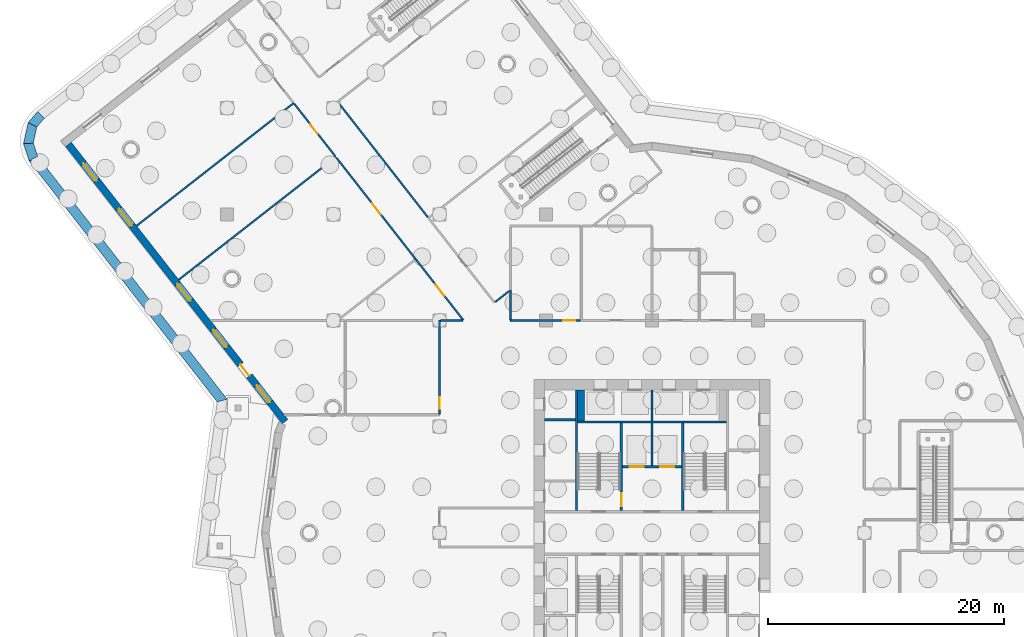
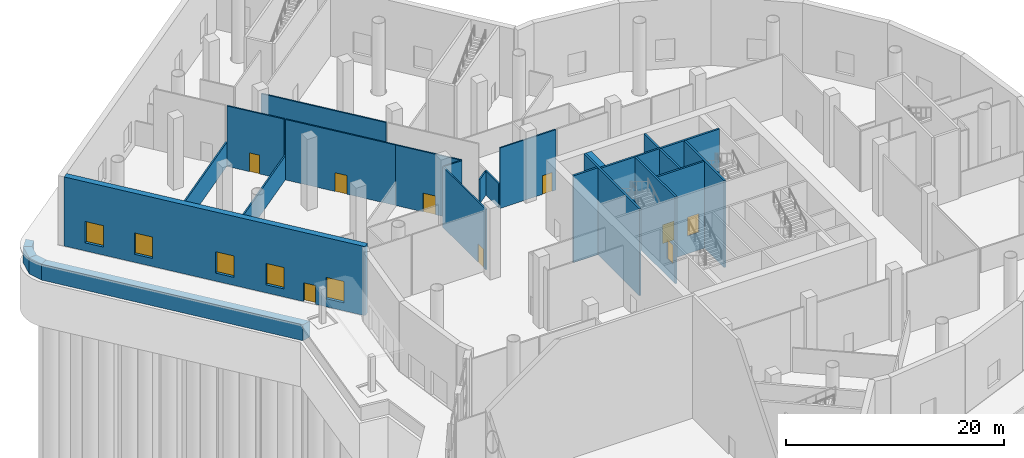
# One storey, part 16 of 34: 25 walls, 9 doors, 5 windows, 14 openings.
"""IFC4 building model written with IfcOpenShell, lengths in metres."""

from ifc_helpers import new_model, si_unit, direction, frame, frame_2d, origin, place, context, subcontext, project, spatial, polyline, rectangle, outline, extrude, material, layer, layer_set, type_object, element, fill, save


model = new_model("IFC4")

# Units and contexts
model_context = context("Model", 3, precision=1e-05, world=origin(), true_north=direction((0.0, 1.0)))
body_context = subcontext(model_context, "Body", "Model", "MODEL_VIEW")
ifc_project = project(units=[si_unit("LENGTHUNIT", "METRE"), si_unit("AREAUNIT", "SQUARE_METRE"), si_unit("VOLUMEUNIT", "CUBIC_METRE"), si_unit("PLANEANGLEUNIT", "RADIAN"), si_unit("MASSUNIT", "GRAM", prefix="KILO")], contexts=[model_context])

# Site, building, storey
site_placement = place(None, origin())
site = spatial("IfcSite", under=ifc_project, at=site_placement, CompositionType="ELEMENT")
building_placement = place(site_placement, origin())
building = spatial("IfcBuilding", under=site, at=building_placement, Name="Tarsis Ring Headquarters", CompositionType="ELEMENT")
storey_placement = place(building_placement, origin())
storey = spatial("IfcBuildingStorey", under=building, at=storey_placement, Name="L00", CompositionType="ELEMENT", Elevation=0.0)

# Walls
ifc_material_1 = material(Name="Blockwork", Category="masonry")
ifc_layer_1 = layer(ifc_material_1, 0.199951171875)
ifc_layer_set_1 = layer_set([ifc_layer_1], Name="Core blockwork wall 200")
wall_type_1 = type_object("IfcWallType", Name="Core blockwork wall 200", PredefinedType="PARTITIONING", material=ifc_layer_set_1)
wall_1_placement = place(storey_placement, frame((-9.10009765625, 9.60009765625, -2.0), z_axis=(0.0, 0.0, 1.0), x_axis=(1.0, 0.0, 0.0)))
element("IfcWall", 1, at=wall_1_placement, inside=storey, type_object=wall_type_1, Name="Core partition WD7", PredefinedType="PARTITIONING", context=body_context, shape_type="SweptSolid", body=[
    extrude(rectangle(XDim=2.60009765625, YDim=0.199951171875, at=frame_2d((1.300048828125, 0.0))), origin(), (0.0, 0.0, 1.0), 9.75),
])
ifc_material_2 = material(Name="Concrete C40/50", Category="concrete")
ifc_layer_2 = layer(ifc_material_2, 0.800048828125)
ifc_layer_set_2 = layer_set([ifc_layer_2], Name="FD Plinth wall 800")
wall_type_2 = type_object("IfcWallType", Name="FD Plinth wall 800", PredefinedType="SOLIDWALL", material=ifc_layer_set_2)
wall_2_placement = place(storey_placement, frame((0.0, 0.0, -2.0)))
element("IfcWall", 2, at=wall_2_placement, inside=storey, type_object=wall_type_2, Name="Plinth wall 21", PredefinedType="SOLIDWALL", context=body_context, shape_type="SweptSolid", body=[
    extrude(outline(polyline([(-52.05224609375, 35.727294921875), (-52.869384765625, 34.783203125), (-52.1328125, 34.41162109375), (-51.498291015625, 35.144775390625), (-52.05224609375, 35.727294921875)])), origin(), (0.0, 0.0, 1.0), 1.800048828125),
])
wall_3_placement = place(storey_placement, frame((0.0, 0.0, -2.0)))
element("IfcWall", 3, at=wall_3_placement, inside=storey, type_object=wall_type_2, Name="Plinth wall 22", PredefinedType="SOLIDWALL", context=body_context, shape_type="SweptSolid", body=[
    extrude(outline(polyline([(-52.869384765625, 34.783203125), (-53.27099609375, 32.990966796875), (-52.44189453125, 33.0322265625), (-52.1328125, 34.41162109375), (-52.869384765625, 34.783203125)])), origin(), (0.0, 0.0, 1.0), 1.800048828125),
])
wall_4_placement = place(storey_placement, frame((0.0, 0.0, -2.0)))
element("IfcWall", 4, at=wall_4_placement, inside=storey, type_object=wall_type_2, Name="Plinth wall 23", PredefinedType="SOLIDWALL", context=body_context, shape_type="SweptSolid", body=[
    extrude(outline(polyline([(-53.27099609375, 32.990966796875), (-52.786865234375, 31.52880859375), (-52.071044921875, 31.91162109375), (-52.44189453125, 33.0322265625), (-53.27099609375, 32.990966796875)])), origin(), (0.0, 0.0, 1.0), 1.800048828125),
])
wall_5_placement = place(storey_placement, frame((0.0, 0.0, -2.0)))
element("IfcWall", 5, at=wall_5_placement, inside=storey, type_object=wall_type_2, Name="Plinth wall 24", PredefinedType="SOLIDWALL", context=body_context, shape_type="SweptSolid", body=[
    extrude(outline(polyline([(-52.786865234375, 31.52880859375), (-36.843994140625, 11.099609375), (-36.007080078125, 11.327392578125), (-52.071044921875, 31.91162109375), (-52.786865234375, 31.52880859375)])), origin(), (0.0, 0.0, 1.0), 1.800048828125),
])
ifc_material_3 = material(Name="Plasterboard partition")
ifc_layer_3 = layer(ifc_material_3, 0.14990234375)
ifc_layer_set_3 = layer_set([ifc_layer_3], Name="PO-PW150")
wall_type_3 = type_object("IfcWallType", Name="PO-PW150", PredefinedType="PARTITIONING", material=ifc_layer_set_3)
wall_6_placement = place(storey_placement, frame((-30.3642578125, 36.42822265625, 0.0), z_axis=(0.0, 0.0, 1.0), x_axis=(-0.788007728406, -0.615665347386, 0.0)))
element("IfcWall", 6, at=wall_6_placement, inside=storey, type_object=wall_type_3, Name="L00 partition wall 2", PredefinedType="PARTITIONING", context=body_context, shape_type="SweptSolid", body=[
    extrude(rectangle(XDim=16.900146484375, YDim=0.14990234375, at=frame_2d((8.4501953125, 0.0))), origin(), (0.0, 0.0, 1.0), 2.699951171875),
])
wall_7_placement = place(storey_placement, frame((-26.79345703125, 31.857666015625, 0.0), z_axis=(0.0, 0.0, 1.0), x_axis=(-0.788014736946, -0.61565637685, 0.0)))
element("IfcWall", 7, at=wall_7_placement, inside=storey, type_object=wall_type_3, Name="L00 partition wall 3", PredefinedType="PARTITIONING", context=body_context, shape_type="SweptSolid", body=[
    extrude(rectangle(XDim=16.89990234375, YDim=0.14990234375, at=frame_2d((8.449951171875, 0.0))), origin(), (0.0, 0.0, 1.0), 2.699951171875),
])
wall_8_placement = place(storey_placement, frame((-12.0, 20.573486328125, 0.0), z_axis=(0.0, 0.0, 1.0), x_axis=(0.0, -1.0, 0.0)))
element("IfcWall", 8, at=wall_8_placement, inside=storey, type_object=wall_type_3, Name="L00 partition wall 84", PredefinedType="PARTITIONING", context=body_context, shape_type="SweptSolid", body=[
    extrude(rectangle(XDim=2.493408203125, YDim=0.14990234375, at=frame_2d((1.24658203125, 0.0))), origin(), (0.0, 0.0, 1.0), 2.699951171875),
])
wall_9_placement = place(storey_placement, frame((-13.28466796875, 19.56982421875, 0.0), z_axis=(0.0, 0.0, 1.0), x_axis=(0.788089823948, 0.615560256506, 0.0)))
element("IfcWall", 9, at=wall_9_placement, inside=storey, type_object=wall_type_3, Name="L00 partition wall 92", PredefinedType="PARTITIONING", context=body_context, shape_type="SweptSolid", body=[
    extrude(rectangle(XDim=1.47021484375, YDim=0.14990234375, at=frame_2d((0.735107421875, 0.0))), origin(), (0.0, 0.0, 1.0), 2.699951171875),
])
ifc_layer_4 = layer(ifc_material_3, 0.14990234375)
ifc_layer_set_4 = layer_set([ifc_layer_4], Name="PO-PW150R-6783")
wall_type_4 = type_object("IfcWallType", Name="PO-PW150R-6783", PredefinedType="PARTITIONING", material=ifc_layer_set_4)
wall_10_placement = place(storey_placement, frame((-26.606201171875, 36.493896484375, 0.0), z_axis=(0.0, 0.0, 1.0), x_axis=(0.615540910515, -0.788104934309, 0.0)))
element("IfcWall", 10, at=wall_10_placement, inside=storey, type_object=wall_type_4, Name="L00 partition wall 9", PredefinedType="PARTITIONING", context=body_context, shape_type="SweptSolid", body=[
    extrude(rectangle(XDim=12.358154296875, YDim=0.14990234375, at=frame_2d((6.17919921875, 0.0))), origin(), (0.0, 0.0, 1.0), 6.782958984375),
])

# Wall, opening, door
wall_11_placement = place(storey_placement, frame((-20.021240234375, 23.189697265625, 0.0), z_axis=(0.0, 0.0, 1.0), x_axis=(-0.615672676141, 0.788002002443, 0.0)))
wall_11 = element("IfcWall", 11, at=wall_11_placement, inside=storey, type_object=wall_type_4, Name="L00 partition wall 12", PredefinedType="PARTITIONING", context=body_context, shape_type="SweptSolid", body=[
    extrude(rectangle(XDim=10.919921875, YDim=0.14990234375, at=frame_2d((5.4599609375, 0.0))), origin(), (0.0, 0.0, 1.0), 6.782958984375),
])
opening_1_placement = place(wall_11_placement, frame((4.820068359375, 0.0, 0.0)))
opening_1 = element("IfcOpeningElement", 12, at=opening_1_placement, cuts=wall_11, Name="Opening PO-D2", PredefinedType="OPENING", context=body_context, shape_type="SweptSolid", body=[
    extrude(rectangle(XDim=1.199951171875, YDim=2.10009765625, at=frame_2d((0.60009765625, 1.050048828125))), frame((0.0, 0.0849609375, 0.0), z_axis=(0.0, -1.0, 0.0), x_axis=(1.0, 0.0, 0.0)), (0.0, 0.0, 1.0), 0.169921875),
])
ifc_material_4 = material(Name="Timber door", Category="wood")
door_type_1 = type_object("IfcDoorType", Name="PO-D1200", OperationType="NOTDEFINED", PredefinedType="DOOR", material=ifc_material_4)
door_1_placement = place(opening_1_placement, origin())
door_1 = element("IfcDoor", 13, at=door_1_placement, inside=storey, type_object=door_type_1, Name="Heritage gallery door", OperationType="SINGLE_SWING_RIGHT", OverallHeight=2.10009765625, OverallWidth=1.199951171875, PredefinedType="DOOR", context=body_context, shape_type="SweptSolid", body=[
    extrude(rectangle(XDim=1.199951171875, YDim=2.10009765625, at=frame_2d((0.60009765625, 1.050048828125))), frame((0.0, 0.02490234375, 0.0), z_axis=(0.0, -1.0, 0.0), x_axis=(1.0, 0.0, 0.0)), (0.0, 0.0, 1.0), 0.050048828125),
])
fill(opening_1, door_1)

wall_12_placement = place(storey_placement, frame((-18.0, 10.06005859375, 0.0), z_axis=(0.0, 0.0, 1.0), x_axis=(0.0, 1.0, 0.0)))
wall_12 = element("IfcWall", 14, at=wall_12_placement, inside=storey, type_object=wall_type_4, Name="L00 partition wall 38", PredefinedType="PARTITIONING", context=body_context, shape_type="SweptSolid", body=[
    extrude(rectangle(XDim=7.93994140625, YDim=0.14990234375, at=frame_2d((3.969970703125, 0.0))), origin(), (0.0, 0.0, 1.0), 6.782958984375),
])
opening_2_placement = place(wall_12_placement, frame((0.43994140625, 0.0, 0.0)))
opening_2 = element("IfcOpeningElement", 15, at=opening_2_placement, cuts=wall_12, Name="Opening PO-D1", PredefinedType="OPENING", context=body_context, shape_type="SweptSolid", body=[
    extrude(rectangle(XDim=1.0, YDim=2.10009765625, at=frame_2d((0.5, 1.050048828125))), frame((0.0, 0.0849609375, 0.0), z_axis=(0.0, -1.0, 0.0), x_axis=(1.0, 0.0, 0.0)), (0.0, 0.0, 1.0), 0.169921875),
])
door_type_2 = type_object("IfcDoorType", Name="PO-D1000", OperationType="NOTDEFINED", PredefinedType="DOOR", material=ifc_material_4)
door_2_placement = place(opening_2_placement, origin())
door_2 = element("IfcDoor", 16, at=door_2_placement, inside=storey, type_object=door_type_2, Name="Security control door", OperationType="SINGLE_SWING_RIGHT", OverallHeight=2.10009765625, OverallWidth=1.0, PredefinedType="DOOR", context=body_context, shape_type="SweptSolid", body=[
    extrude(rectangle(XDim=1.0, YDim=2.10009765625, at=frame_2d((0.5, 1.050048828125))), frame((0.0, 0.02490234375, 0.0), z_axis=(0.0, -1.0, 0.0), x_axis=(1.0, 0.0, 0.0)), (0.0, 0.0, 1.0), 0.050048828125),
])
fill(opening_2, door_2)

wall_13_placement = place(storey_placement, frame((-15.997802734375, 18.0400390625, 0.0), z_axis=(0.0, 0.0, 1.0), x_axis=(-0.615669415583, 0.788004549933, 0.0)))
wall_13 = element("IfcWall", 17, at=wall_13_placement, inside=storey, type_object=wall_type_4, Name="L00 partition wall 49", PredefinedType="PARTITIONING", context=body_context, shape_type="SweptSolid", body=[
    extrude(rectangle(XDim=6.53515625, YDim=0.14990234375, at=frame_2d((3.267578125, 0.0))), origin(), (0.0, 0.0, 1.0), 6.782958984375),
])
opening_3_placement = place(wall_13_placement, frame((2.59912109375, 0.0, 0.0)))
opening_3 = element("IfcOpeningElement", 18, at=opening_3_placement, cuts=wall_13, Name="Opening PO-D2", PredefinedType="OPENING", context=body_context, shape_type="SweptSolid", body=[
    extrude(rectangle(XDim=1.199951171875, YDim=2.10009765625, at=frame_2d((0.60009765625, 1.050048828125))), frame((0.0, 0.0849609375, 0.0), z_axis=(0.0, -1.0, 0.0), x_axis=(1.0, 0.0, 0.0)), (0.0, 0.0, 1.0), 0.169921875),
])
door_3_placement = place(opening_3_placement, origin())
door_3 = element("IfcDoor", 19, at=door_3_placement, inside=storey, type_object=door_type_1, Name="Exhibition gallery door", OperationType="SINGLE_SWING_LEFT", OverallHeight=2.10009765625, OverallWidth=1.199951171875, PredefinedType="DOOR", context=body_context, shape_type="SweptSolid", body=[
    extrude(rectangle(XDim=1.199951171875, YDim=2.10009765625, at=frame_2d((0.60009765625, 1.050048828125))), frame((0.0, 0.02490234375, 0.0), z_axis=(0.0, -1.0, 0.0), x_axis=(1.0, 0.0, 0.0)), (0.0, 0.0, 1.0), 0.050048828125),
])
fill(opening_3, door_3)

wall_14_placement = place(storey_placement, frame((-12.0, 18.0, 0.0), z_axis=(0.0, 0.0, 1.0), x_axis=(1.0, 0.0, 0.0)))
wall_14 = element("IfcWall", 20, at=wall_14_placement, inside=storey, type_object=wall_type_4, Name="L00 partition wall 54", PredefinedType="PARTITIONING", context=body_context, shape_type="SweptSolid", body=[
    extrude(rectangle(XDim=5.919921875, YDim=0.14990234375, at=frame_2d((2.9599609375, 0.0))), origin(), (0.0, 0.0, 1.0), 6.782958984375),
])
opening_4_placement = place(wall_14_placement, frame((4.5, 0.0, 0.0)))
opening_4 = element("IfcOpeningElement", 21, at=opening_4_placement, cuts=wall_14, Name="Opening PO-D1", PredefinedType="OPENING", context=body_context, shape_type="SweptSolid", body=[
    extrude(rectangle(XDim=1.0, YDim=2.10009765625, at=frame_2d((0.5, 1.050048828125))), frame((0.0, 0.0849609375, 0.0), z_axis=(0.0, -1.0, 0.0), x_axis=(1.0, 0.0, 0.0)), (0.0, 0.0, 1.0), 0.169921875),
])
door_4_placement = place(opening_4_placement, origin())
door_4 = element("IfcDoor", 22, at=door_4_placement, inside=storey, type_object=door_type_2, Name="Male WC door", OperationType="SINGLE_SWING_RIGHT", OverallHeight=2.10009765625, OverallWidth=1.0, PredefinedType="DOOR", context=body_context, shape_type="SweptSolid", body=[
    extrude(rectangle(XDim=1.0, YDim=2.10009765625, at=frame_2d((0.5, 1.050048828125))), frame((0.0, 0.02490234375, 0.0), z_axis=(0.0, -1.0, 0.0), x_axis=(1.0, 0.0, 0.0)), (0.0, 0.0, 1.0), 0.050048828125),
])
fill(opening_4, door_4)

wall_15_placement = place(storey_placement, frame((-26.8427734375, 31.9208984375, 0.0), z_axis=(0.0, 0.0, 1.0), x_axis=(-0.615674282204, 0.788000747609, 0.0)))
wall_15 = element("IfcWall", 23, at=wall_15_placement, inside=storey, type_object=wall_type_4, Name="L00 partition wall 60", PredefinedType="PARTITIONING", context=body_context, shape_type="SweptSolid", body=[
    extrude(rectangle(XDim=5.64013671875, YDim=0.14990234375, at=frame_2d((2.820068359375, 0.0))), origin(), (0.0, 0.0, 1.0), 6.782958984375),
])
opening_5_placement = place(wall_15_placement, frame((2.419921875, 0.0, 0.0)))
opening_5 = element("IfcOpeningElement", 24, at=opening_5_placement, cuts=wall_15, Name="Opening PO-D1", PredefinedType="OPENING", context=body_context, shape_type="SweptSolid", body=[
    extrude(rectangle(XDim=1.0, YDim=2.10009765625, at=frame_2d((0.5, 1.050048828125))), frame((0.0, 0.0849609375, 0.0), z_axis=(0.0, -1.0, 0.0), x_axis=(1.0, 0.0, 0.0)), (0.0, 0.0, 1.0), 0.169921875),
])
door_5_placement = place(opening_5_placement, origin())
door_5 = element("IfcDoor", 25, at=door_5_placement, inside=storey, type_object=door_type_2, Name="Gallery store door", OperationType="SINGLE_SWING_LEFT", OverallHeight=2.10009765625, OverallWidth=1.0, PredefinedType="DOOR", context=body_context, shape_type="SweptSolid", body=[
    extrude(rectangle(XDim=1.0, YDim=2.10009765625, at=frame_2d((0.5, 1.050048828125))), frame((0.0, 0.02490234375, 0.0), z_axis=(0.0, -1.0, 0.0), x_axis=(1.0, 0.0, 0.0)), (0.0, 0.0, 1.0), 0.050048828125),
])
fill(opening_5, door_5)

# Wall
wall_16_placement = place(storey_placement, frame((-17.919921875, 18.0, 0.0), z_axis=(0.0, 0.0, 1.0), x_axis=(1.0, 0.0, 0.0)))
element("IfcWall", 26, at=wall_16_placement, inside=storey, type_object=wall_type_4, Name="L00 partition wall 90", PredefinedType="PARTITIONING", context=body_context, shape_type="SweptSolid", body=[
    extrude(rectangle(XDim=1.877197265625, YDim=0.14990234375, at=frame_2d((0.9384765625, 0.0))), origin(), (0.0, 0.0, 1.0), 6.782958984375),
])

# Wall, openings, door, windows
ifc_material_5 = material(Name="Concrete C60/75", Category="concrete")
ifc_layer_5 = layer(ifc_material_5, 0.60009765625)
ifc_layer_set_5 = layer_set([ifc_layer_5], Name="PO-W600")
wall_type_5 = type_object("IfcWallType", Name="PO-W600", PredefinedType="SOLIDWALL", material=ifc_layer_set_5)
wall_17_placement = place(storey_placement, frame((-49.459228515625, 32.930908203125, 0.0), z_axis=(0.0, 0.0, 1.0), x_axis=(0.615664215937, -0.788008612399, 0.0)))
wall_17 = element("IfcWall", 27, at=wall_17_placement, inside=storey, type_object=wall_type_5, Name="L00 external wall 1", PredefinedType="SOLIDWALL", context=body_context, shape_type="SweptSolid", body=[
    extrude(rectangle(XDim=29.82470703125, YDim=0.60009765625, at=frame_2d((14.912353515625, 0.0))), origin(), (0.0, 0.0, 1.0), 7.75),
])
opening_6_placement = place(wall_17_placement, frame((2.08251953125, 0.0, 0.89990234375)))
opening_6 = element("IfcOpeningElement", 28, at=opening_6_placement, cuts=wall_17, Name="Opening PO-WN1", PredefinedType="OPENING", context=body_context, shape_type="SweptSolid", body=[
    extrude(rectangle(XDim=1.800048828125, YDim=2.39990234375, at=frame_2d((0.89990234375, 1.199951171875))), frame((0.0, 0.31005859375, 0.0), z_axis=(0.0, -1.0, 0.0), x_axis=(1.0, 0.0, 0.0)), (0.0, 0.0, 1.0), 0.6201171875),
])
opening_7_placement = place(wall_17_placement, frame((6.947509765625, 0.0, 0.89990234375)))
opening_7 = element("IfcOpeningElement", 29, at=opening_7_placement, cuts=wall_17, Name="Opening PO-WN1", PredefinedType="OPENING", context=body_context, shape_type="SweptSolid", body=[
    extrude(rectangle(XDim=1.800048828125, YDim=2.39990234375, at=frame_2d((0.89990234375, 1.199951171875))), frame((0.0, 0.31005859375, 0.0), z_axis=(0.0, -1.0, 0.0), x_axis=(1.0, 0.0, 0.0)), (0.0, 0.0, 1.0), 0.6201171875),
])
opening_8_placement = place(wall_17_placement, frame((15.012451171875, 0.0, 0.89990234375)))
opening_8 = element("IfcOpeningElement", 30, at=opening_8_placement, cuts=wall_17, Name="Opening PO-WN1", PredefinedType="OPENING", context=body_context, shape_type="SweptSolid", body=[
    extrude(rectangle(XDim=1.800048828125, YDim=2.39990234375, at=frame_2d((0.89990234375, 1.199951171875))), frame((0.0, 0.31005859375, 0.0), z_axis=(0.0, -1.0, 0.0), x_axis=(1.0, 0.0, 0.0)), (0.0, 0.0, 1.0), 0.6201171875),
])
opening_9_placement = place(wall_17_placement, frame((19.977294921875, 0.0, 0.89990234375)))
opening_9 = element("IfcOpeningElement", 31, at=opening_9_placement, cuts=wall_17, Name="Opening PO-WN1", PredefinedType="OPENING", context=body_context, shape_type="SweptSolid", body=[
    extrude(rectangle(XDim=1.800048828125, YDim=2.39990234375, at=frame_2d((0.89990234375, 1.199951171875))), frame((0.0, 0.31005859375, 0.0), z_axis=(0.0, -1.0, 0.0), x_axis=(1.0, 0.0, 0.0)), (0.0, 0.0, 1.0), 0.6201171875),
])
opening_10_placement = place(wall_17_placement, frame((25.942138671875, 0.0, 0.89990234375)))
opening_10 = element("IfcOpeningElement", 32, at=opening_10_placement, cuts=wall_17, Name="Opening PO-WN1", PredefinedType="OPENING", context=body_context, shape_type="SweptSolid", body=[
    extrude(rectangle(XDim=1.800048828125, YDim=2.39990234375, at=frame_2d((0.89990234375, 1.199951171875))), frame((0.0, 0.31005859375, 0.0), z_axis=(0.0, -1.0, 0.0), x_axis=(1.0, 0.0, 0.0)), (0.0, 0.0, 1.0), 0.6201171875),
])
opening_11_placement = place(wall_17_placement, frame((23.697021484375, 0.0, 0.0)))
opening_11 = element("IfcOpeningElement", 33, at=opening_11_placement, cuts=wall_17, Name="Opening PO-D2B", PredefinedType="OPENING", context=body_context, shape_type="SweptSolid", body=[
    extrude(rectangle(XDim=1.199951171875, YDim=2.10009765625, at=frame_2d((0.60009765625, 1.050048828125))), frame((0.0, 0.31005859375, 0.0), z_axis=(0.0, -1.0, 0.0), x_axis=(1.0, 0.0, 0.0)), (0.0, 0.0, 1.0), 0.6201171875),
])
door_type_3 = type_object("IfcDoorType", Name="PO-D1200-UNRATED", OperationType="DOUBLE_DOOR_SINGLE_SWING", PredefinedType="DOOR", material=ifc_material_4)
door_6_placement = place(opening_11_placement, origin())
door_6 = element("IfcDoor", 34, at=door_6_placement, inside=storey, type_object=door_type_3, Name="Fire command centre street door", OperationType="SINGLE_SWING_LEFT", OverallHeight=2.10009765625, OverallWidth=1.199951171875, PredefinedType="DOOR", context=body_context, shape_type="SweptSolid", body=[
    extrude(rectangle(XDim=1.199951171875, YDim=2.10009765625, at=frame_2d((0.60009765625, 1.050048828125))), frame((0.0, 0.02490234375, 0.0), z_axis=(0.0, -1.0, 0.0), x_axis=(1.0, 0.0, 0.0)), (0.0, 0.0, 1.0), 0.050048828125),
])
fill(opening_11, door_6)
ifc_material_6 = material(Name="Double glazing", Category="glass")
window_type = type_object("IfcWindowType", Name="PO-WN1800", PartitioningType="SINGLE_PANEL", PredefinedType="WINDOW", material=ifc_material_6)
window_1_placement = place(opening_6_placement, origin())
window_1 = element("IfcWindow", 35, at=window_1_placement, inside=storey, type_object=window_type, Name="L00 window 1.1", OverallHeight=2.39990234375, OverallWidth=1.800048828125, PartitioningType="SINGLE_PANEL", PredefinedType="WINDOW", context=body_context, shape_type="SweptSolid", body=[
    extrude(rectangle(XDim=1.800048828125, YDim=2.39990234375, at=frame_2d((0.89990234375, 1.199951171875))), frame((0.0, 0.030029296875, 0.0), z_axis=(0.0, -1.0, 0.0), x_axis=(1.0, 0.0, 0.0)), (0.0, 0.0, 1.0), 0.06005859375),
])
fill(opening_6, window_1)
window_2_placement = place(opening_7_placement, origin())
window_2 = element("IfcWindow", 36, at=window_2_placement, inside=storey, type_object=window_type, Name="L00 window 1.2", OverallHeight=2.39990234375, OverallWidth=1.800048828125, PartitioningType="SINGLE_PANEL", PredefinedType="WINDOW", context=body_context, shape_type="SweptSolid", body=[
    extrude(rectangle(XDim=1.800048828125, YDim=2.39990234375, at=frame_2d((0.89990234375, 1.199951171875))), frame((0.0, 0.030029296875, 0.0), z_axis=(0.0, -1.0, 0.0), x_axis=(1.0, 0.0, 0.0)), (0.0, 0.0, 1.0), 0.06005859375),
])
fill(opening_7, window_2)
window_3_placement = place(opening_8_placement, origin())
window_3 = element("IfcWindow", 37, at=window_3_placement, inside=storey, type_object=window_type, Name="L00 window 1.3", OverallHeight=2.39990234375, OverallWidth=1.800048828125, PartitioningType="SINGLE_PANEL", PredefinedType="WINDOW", context=body_context, shape_type="SweptSolid", body=[
    extrude(rectangle(XDim=1.800048828125, YDim=2.39990234375, at=frame_2d((0.89990234375, 1.199951171875))), frame((0.0, 0.030029296875, 0.0), z_axis=(0.0, -1.0, 0.0), x_axis=(1.0, 0.0, 0.0)), (0.0, 0.0, 1.0), 0.06005859375),
])
fill(opening_8, window_3)
window_4_placement = place(opening_9_placement, origin())
window_4 = element("IfcWindow", 38, at=window_4_placement, inside=storey, type_object=window_type, Name="L00 window 1.4", OverallHeight=2.39990234375, OverallWidth=1.800048828125, PartitioningType="SINGLE_PANEL", PredefinedType="WINDOW", context=body_context, shape_type="SweptSolid", body=[
    extrude(rectangle(XDim=1.800048828125, YDim=2.39990234375, at=frame_2d((0.89990234375, 1.199951171875))), frame((0.0, 0.030029296875, 0.0), z_axis=(0.0, -1.0, 0.0), x_axis=(1.0, 0.0, 0.0)), (0.0, 0.0, 1.0), 0.06005859375),
])
fill(opening_9, window_4)
window_5_placement = place(opening_10_placement, origin())
window_5 = element("IfcWindow", 39, at=window_5_placement, inside=storey, type_object=window_type, Name="L00 window 1.5", OverallHeight=2.39990234375, OverallWidth=1.800048828125, PartitioningType="SINGLE_PANEL", PredefinedType="WINDOW", context=body_context, shape_type="SweptSolid", body=[
    extrude(rectangle(XDim=1.800048828125, YDim=2.39990234375, at=frame_2d((0.89990234375, 1.199951171875))), frame((0.0, 0.030029296875, 0.0), z_axis=(0.0, -1.0, 0.0), x_axis=(1.0, 0.0, 0.0)), (0.0, 0.0, 1.0), 0.06005859375),
])
fill(opening_10, window_5)

# Walls
ifc_material_7 = material(Name="Concrete C32/40", Category="concrete")
ifc_layer_6 = layer(ifc_material_7, 0.60009765625)
ifc_layer_set_6 = layer_set([ifc_layer_6], Name="Shaft end wall 600 C32/40")
wall_type_6 = type_object("IfcWallType", Name="Shaft end wall 600 C32/40", PredefinedType="SOLIDWALL", material=ifc_layer_set_6)
wall_18_placement = place(storey_placement, frame((-6.0, 9.5, -2.0), z_axis=(0.0, 0.0, 1.0), x_axis=(0.0, 1.0, 0.0)))
element("IfcWall", 40, at=wall_18_placement, inside=storey, type_object=wall_type_6, Name="Core shaft wall NNE1", PredefinedType="SOLIDWALL", context=body_context, shape_type="SweptSolid", body=[
    extrude(rectangle(XDim=2.60009765625, YDim=0.60009765625, at=frame_2d((1.300048828125, 0.0))), origin(), (0.0, 0.0, 1.0), 9.75),
])
ifc_layer_7 = layer(ifc_material_7, 0.199951171875)
ifc_layer_set_7 = layer_set([ifc_layer_7], Name="Shaft wall 200 C32/40")
wall_type_7 = type_object("IfcWallType", Name="Shaft wall 200 C32/40", PredefinedType="SOLIDWALL", material=ifc_layer_set_7)
wall_19_placement = place(storey_placement, frame((-6.39990234375, 1.89990234375, -2.0), z_axis=(0.0, 0.0, 1.0), x_axis=(0.0, 1.0, 0.0)))
element("IfcWall", 41, at=wall_19_placement, inside=storey, type_object=wall_type_7, Name="Core shaft wall WB2", PredefinedType="SOLIDWALL", context=body_context, shape_type="SweptSolid", body=[
    extrude(rectangle(XDim=10.2001953125, YDim=0.199951171875, at=frame_2d((5.10009765625, 0.0))), origin(), (0.0, 0.0, 1.0), 9.75),
])
wall_20_placement = place(storey_placement, frame((-6.300048828125, 9.39990234375, -2.0), z_axis=(0.0, 0.0, 1.0), x_axis=(1.0, 0.0, 0.0)))
element("IfcWall", 42, at=wall_20_placement, inside=storey, type_object=wall_type_7, Name="Core shaft wall NB", PredefinedType="SOLIDWALL", context=body_context, shape_type="SweptSolid", body=[
    extrude(rectangle(XDim=12.60009765625, YDim=0.199951171875, at=frame_2d((6.300048828125, 0.0))), origin(), (0.0, 0.0, 1.0), 9.75),
])

# Wall, opening, door
wall_21_placement = place(storey_placement, frame((-2.60009765625, 1.89990234375, -2.0), z_axis=(0.0, 0.0, 1.0), x_axis=(0.0, 1.0, 0.0)))
wall_21 = element("IfcWall", 43, at=wall_21_placement, inside=storey, type_object=wall_type_7, Name="Core shaft wall SW1", PredefinedType="SOLIDWALL", context=body_context, shape_type="SweptSolid", body=[
    extrude(rectangle(XDim=7.400146484375, YDim=0.199951171875, at=frame_2d((3.7001953125, 0.0))), origin(), (0.0, 0.0, 1.0), 9.75),
])
opening_12_placement = place(wall_21_placement, frame((0.35009765625, 0.0, 2.0)))
opening_12 = element("IfcOpeningElement", 44, at=opening_12_placement, cuts=wall_21, Name="Opening L00-C31", PredefinedType="OPENING", context=body_context, shape_type="SweptSolid", body=[
    extrude(rectangle(XDim=1.10009765625, YDim=2.10009765625, at=frame_2d((0.550048828125, 1.050048828125))), frame((0.0, 0.10986328125, 0.0), z_axis=(0.0, -1.0, 0.0), x_axis=(1.0, 0.0, 0.0)), (0.0, 0.0, 1.0), 0.219970703125),
])
ifc_material_8 = material(Name="Steel S355", Category="steel")
door_type_4 = type_object("IfcDoorType", Name="Stair door 1100x2100", OperationType="SINGLE_SWING_LEFT", PredefinedType="DOOR", material=ifc_material_8)
door_7_placement = place(opening_12_placement, origin())
door_7 = element("IfcDoor", 45, at=door_7_placement, inside=storey, type_object=door_type_4, Name="Stair door L00", OperationType="SINGLE_SWING_LEFT", OverallHeight=2.10009765625, OverallWidth=1.10009765625, PredefinedType="DOOR", context=body_context, shape_type="SweptSolid", body=[
    extrude(rectangle(XDim=1.10009765625, YDim=2.10009765625, at=frame_2d((0.550048828125, 1.050048828125))), frame((0.0, 0.02490234375, 0.0), z_axis=(0.0, -1.0, 0.0), x_axis=(1.0, 0.0, 0.0)), (0.0, 0.0, 1.0), 0.050048828125),
])
fill(opening_12, door_7)

# Wall
wall_22_placement = place(storey_placement, frame((2.60009765625, 1.89990234375, -2.0), z_axis=(0.0, 0.0, 1.0), x_axis=(0.0, 1.0, 0.0)))
element("IfcWall", 46, at=wall_22_placement, inside=storey, type_object=wall_type_7, Name="Core shaft wall SW2", PredefinedType="SOLIDWALL", context=body_context, shape_type="SweptSolid", body=[
    extrude(rectangle(XDim=7.400146484375, YDim=0.199951171875, at=frame_2d((3.7001953125, 0.0))), origin(), (0.0, 0.0, 1.0), 9.75),
])

# Wall, openings, doors
wall_23_placement = place(storey_placement, frame((-2.5, 5.60009765625, -2.0), z_axis=(0.0, 0.0, 1.0), x_axis=(1.0, 0.0, 0.0)))
wall_23 = element("IfcWall", 47, at=wall_23_placement, inside=storey, type_object=wall_type_7, Name="Core shaft wall FFN", PredefinedType="SOLIDWALL", context=body_context, shape_type="SweptSolid", body=[
    extrude(rectangle(XDim=5.0, YDim=0.199951171875, at=frame_2d((2.5, 0.0))), origin(), (0.0, 0.0, 1.0), 9.75),
])
opening_13_placement = place(wall_23_placement, frame((0.60009765625, 0.0, 2.0)))
opening_13 = element("IfcOpeningElement", 48, at=opening_13_placement, cuts=wall_23, Name="Opening LDF-1", PredefinedType="OPENING", context=body_context, shape_type="SweptSolid", body=[
    extrude(rectangle(XDim=1.199951171875, YDim=2.10009765625, at=frame_2d((0.60009765625, 1.050048828125))), frame((0.0, 0.10986328125, 0.0), z_axis=(0.0, -1.0, 0.0), x_axis=(1.0, 0.0, 0.0)), (0.0, 0.0, 1.0), 0.219970703125),
])
opening_14_placement = place(wall_23_placement, frame((3.199951171875, 0.0, 2.0)))
opening_14 = element("IfcOpeningElement", 49, at=opening_14_placement, cuts=wall_23, Name="Opening LDF-2", PredefinedType="OPENING", context=body_context, shape_type="SweptSolid", body=[
    extrude(rectangle(XDim=1.199951171875, YDim=2.10009765625, at=frame_2d((0.60009765625, 1.050048828125))), frame((0.0, 0.10986328125, 0.0), z_axis=(0.0, -1.0, 0.0), x_axis=(1.0, 0.0, 0.0)), (0.0, 0.0, 1.0), 0.219970703125),
])
door_type_5 = type_object("IfcDoorType", Name="Firefighting landing door 1200x2100", OperationType="SLIDING_TO_LEFT", PredefinedType="DOOR", material=ifc_material_8)
door_8_placement = place(opening_13_placement, origin())
door_8 = element("IfcDoor", 50, at=door_8_placement, inside=storey, type_object=door_type_5, Name="Landing door FF1 L00", OperationType="SLIDING_TO_LEFT", OverallHeight=2.10009765625, OverallWidth=1.199951171875, PredefinedType="DOOR", context=body_context, shape_type="SweptSolid", body=[
    extrude(rectangle(XDim=1.199951171875, YDim=2.10009765625, at=frame_2d((0.60009765625, 1.050048828125))), frame((0.0, 0.02490234375, 0.0), z_axis=(0.0, -1.0, 0.0), x_axis=(1.0, 0.0, 0.0)), (0.0, 0.0, 1.0), 0.050048828125),
])
fill(opening_13, door_8)
door_9_placement = place(opening_14_placement, origin())
door_9 = element("IfcDoor", 51, at=door_9_placement, inside=storey, type_object=door_type_5, Name="Landing door FF2 L00", OperationType="SLIDING_TO_LEFT", OverallHeight=2.10009765625, OverallWidth=1.199951171875, PredefinedType="DOOR", context=body_context, shape_type="SweptSolid", body=[
    extrude(rectangle(XDim=1.199951171875, YDim=2.10009765625, at=frame_2d((0.60009765625, 1.050048828125))), frame((0.0, 0.02490234375, 0.0), z_axis=(0.0, -1.0, 0.0), x_axis=(1.0, 0.0, 0.0)), (0.0, 0.0, 1.0), 0.050048828125),
])
fill(opening_14, door_9)

# Walls
wall_24_placement = place(storey_placement, frame((0.0, 5.699951171875, -2.0), z_axis=(0.0, 0.0, 1.0), x_axis=(0.0, 1.0, 0.0)))
element("IfcWall", 52, at=wall_24_placement, inside=storey, type_object=wall_type_7, Name="Core shaft wall FFD", PredefinedType="SOLIDWALL", context=body_context, shape_type="SweptSolid", body=[
    extrude(rectangle(XDim=3.60009765625, YDim=0.199951171875, at=frame_2d((1.800048828125, 0.0))), origin(), (0.0, 0.0, 1.0), 9.75),
])
wall_25_placement = place(storey_placement, frame((0.0, 9.5, -2.0), z_axis=(0.0, 0.0, 1.0), x_axis=(0.0, 1.0, 0.0)))
element("IfcWall", 53, at=wall_25_placement, inside=storey, type_object=wall_type_7, Name="Core shaft wall ND2", PredefinedType="SOLIDWALL", context=body_context, shape_type="SweptSolid", body=[
    extrude(rectangle(XDim=2.60009765625, YDim=0.199951171875, at=frame_2d((1.300048828125, 0.0))), origin(), (0.0, 0.0, 1.0), 9.75),
])

save(model, "model.ifc")
